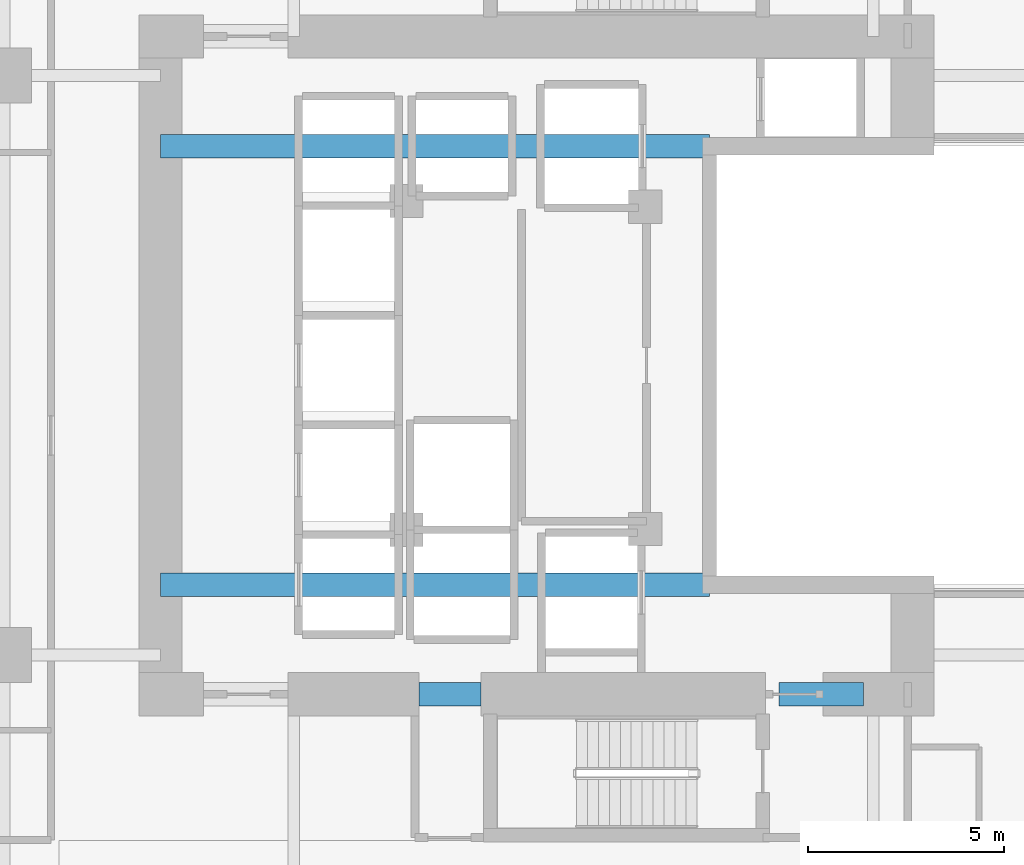
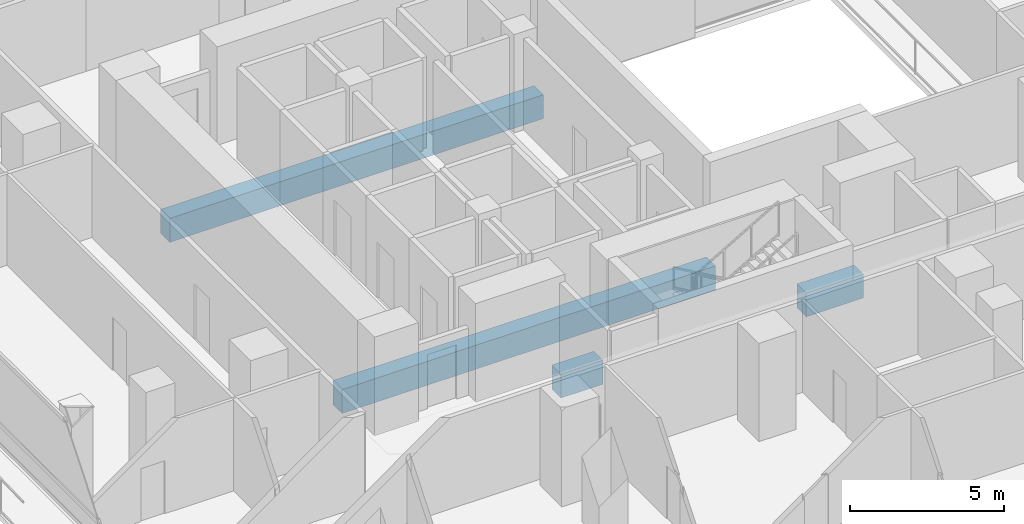
# One storey, part 7 of 27: 4 beams.
"""IFC4 building model written with IfcOpenShell, lengths in metres."""

from ifc_helpers import new_model, si_unit, direction, frame, origin, origin_2d, place, context, subcontext, project, spatial, rectangle, extrude, material, material_profile, profile_set, type_object, element, save


model = new_model("IFC4")

# Units and contexts
model_context = context("Model", 3, precision=1e-05, world=origin(), true_north=direction((0.0, 1.0)))
body_context = subcontext(model_context, "Body", "Model", "MODEL_VIEW")
ifc_project = project(units=[si_unit("LENGTHUNIT", "METRE"), si_unit("AREAUNIT", "SQUARE_METRE"), si_unit("VOLUMEUNIT", "CUBIC_METRE"), si_unit("PLANEANGLEUNIT", "RADIAN"), si_unit("MASSUNIT", "GRAM", prefix="KILO")], contexts=[model_context])

# Site, building, storey
site_placement = place(None, origin())
site = spatial("IfcSite", under=ifc_project, at=site_placement, CompositionType="ELEMENT")
building_placement = place(site_placement, origin())
building = spatial("IfcBuilding", under=site, at=building_placement, Name="Khorvyn Point Tower", CompositionType="ELEMENT")
storey_placement = place(building_placement, frame((0.0, 0.0, 50.10009765625)))
storey = spatial("IfcBuildingStorey", under=building, at=storey_placement, Name="L13", CompositionType="ELEMENT", Elevation=50.10009765625)

# Beams
ifc_material = material(Name="Concrete C50/60", Category="concrete")
ifc_material_profile = material_profile(ifc_material, rectangle(XDim=0.60009765625, YDim=0.949951171875, at=origin_2d()))
ifc_profile_set = profile_set([ifc_material_profile], Name="Concrete C50/60 RC600x950")
beam_type = type_object("IfcBeamType", Name="Concrete C50/60 Beam RC600x950", PredefinedType="BEAM", material=ifc_profile_set)
for number, where, z_axis, x_axis, name in (
    (1, (-10.800048828125, -5.60009765625, -0.695068359375), (1.0, 0.0, 0.0), (0.0, 1.0, 0.0), "L13 Core Internal Tie Girder S"),
    (2, (-10.800048828125, 5.60009765625, -0.695068359375), (1.0, 0.0, 0.0), (0.0, 1.0, 0.0), "L13 Core Internal Tie Girder N"),
):
    element("IfcBeam", number, at=place(storey_placement, frame(where, z_axis=z_axis, x_axis=x_axis)), inside=storey, type_object=beam_type, Name=name, PredefinedType="BEAM", context=body_context, shape_type="SweptSolid", body=[
        extrude(rectangle(XDim=0.60009765625, YDim=0.949951171875, at=origin_2d()), origin(), (0.0, 0.0, 1.0), 14.02001953125),
    ])
beam_1_placement = place(storey_placement, frame((-4.199951171875, -8.39990234375, -0.695068359375), z_axis=(1.0, 0.0, 0.0), x_axis=(0.0, 1.0, 0.0)))
element("IfcBeam", 3, at=beam_1_placement, inside=storey, type_object=beam_type, Name="L13 Core Shuttle Portal Coupling Beam", PredefinedType="BEAM", context=body_context, shape_type="SweptSolid", body=[
    extrude(rectangle(XDim=0.60009765625, YDim=0.949951171875, at=origin_2d()), origin(), (0.0, 0.0, 1.0), 1.579833984375),
])
beam_2_placement = place(storey_placement, frame((5.0, -8.39990234375, -0.695068359375), z_axis=(1.0, 0.0, 0.0), x_axis=(0.0, 1.0, 0.0)))
element("IfcBeam", 4, at=beam_2_placement, inside=storey, type_object=beam_type, Name="L13 Core Southeast Portal Coupling Beam", PredefinedType="BEAM", context=body_context, shape_type="SweptSolid", body=[
    extrude(rectangle(XDim=0.60009765625, YDim=0.949951171875, at=origin_2d()), origin(), (0.0, 0.0, 1.0), 2.14990234375),
])

save(model, "model.ifc")
